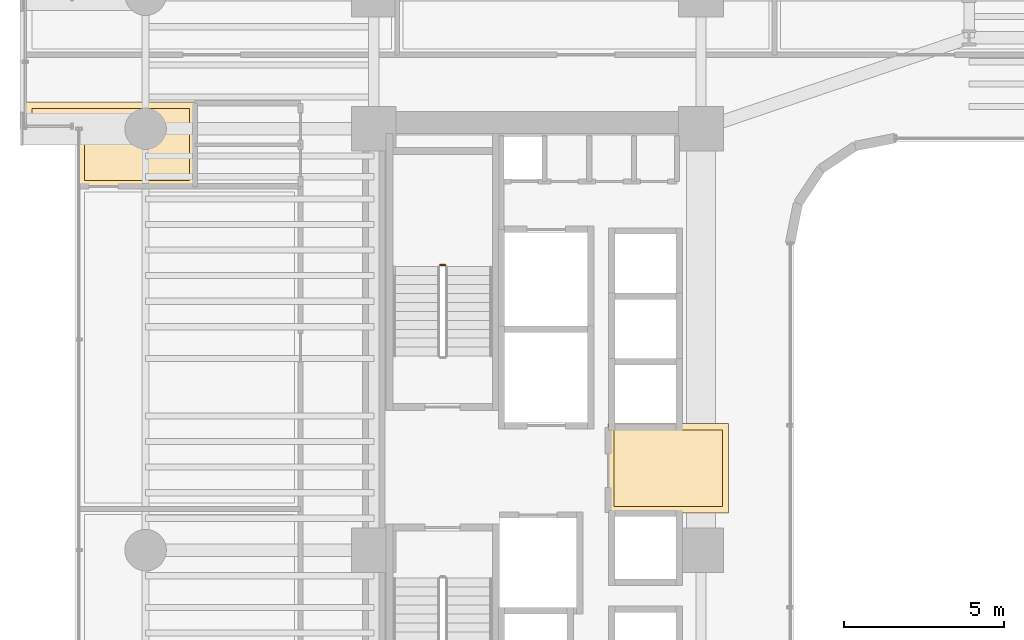
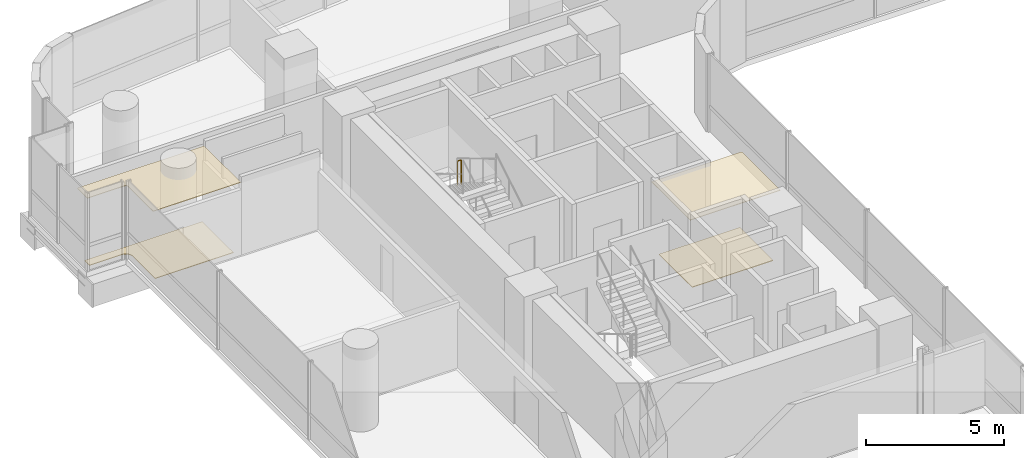
# One storey, part 38 of 40: 4 coverings, 1 railing.
"""IFC4 building model written with IfcOpenShell, lengths in metres."""

from ifc_helpers import new_model, si_unit, direction, frame, origin, origin_2d, place, context, subcontext, project, spatial, polyline, circle, outline, extrude, material, layer, layer_set, type_object, element, save


model = new_model("IFC4")

# Units and contexts
model_context = context("Model", 3, precision=1e-05, world=origin(), true_north=direction((0.0, 1.0)))
body_context = subcontext(model_context, "Body", "Model", "MODEL_VIEW")
ifc_project = project(units=[si_unit("LENGTHUNIT", "METRE"), si_unit("AREAUNIT", "SQUARE_METRE"), si_unit("VOLUMEUNIT", "CUBIC_METRE"), si_unit("PLANEANGLEUNIT", "RADIAN"), si_unit("MASSUNIT", "GRAM", prefix="KILO")], contexts=[model_context])

# Site, building, storey
site_placement = place(None, origin())
site = spatial("IfcSite", under=ifc_project, at=site_placement, CompositionType="ELEMENT")
building_placement = place(site_placement, origin())
building = spatial("IfcBuilding", under=site, at=building_placement, Name="Valdorenza Pilgrim Sanctuary Tower", CompositionType="ELEMENT")
storey_placement = place(building_placement, frame((0.0, 0.0, 48.199951171875)))
storey = spatial("IfcBuildingStorey", under=building, at=storey_placement, Name="L11", CompositionType="ELEMENT", Elevation=48.199951171875)

# Coverings
ifc_material_1 = material(Name="Micro-perforated acoustic mineral ceiling tile", Category="gypsum")
ifc_layer_1 = layer(ifc_material_1, 0.02490234375, Name="Micro-perforated acoustic mineral ceiling tile")
ifc_layer_set_1 = layer_set([ifc_layer_1], Name="Micro-perforated acoustic mineral ceiling tile")
covering_type_1 = type_object("IfcCoveringType", Name="COV-CLG-ACU", PredefinedType="CEILING", material=ifc_layer_set_1)
covering_1_placement = place(storey_placement, frame((0.0, 0.0, 3.16015625)))
element("IfcCovering", 1, at=covering_1_placement, inside=storey, type_object=covering_type_1, Name="L11 Core A Passenger Lift Lobby Acoustic Ceiling", PredefinedType="CEILING", context=body_context, shape_type="SweptSolid", body=[
    extrude(outline(polyline([(-15.31298828125, 1.244384765625), (-15.31298828125, 1.24462890625), (-15.313720703125, 1.24609375), (-15.314208984375, 1.24755859375), (-15.314697265625, 1.2490234375), (-15.31494140625, 1.25048828125), (-15.31494140625, 1.251953125), (-15.31494140625, 1.35009765625), (-15.31494140625, 1.3515625), (-15.314697265625, 1.352783203125), (-15.314453125, 1.3544921875), (-15.31396484375, 1.355712890625), (-15.313232421875, 1.357177734375), (-15.3125, 1.3583984375), (-15.3115234375, 1.359619140625), (-15.310546875, 1.360595703125), (-15.3095703125, 1.361572265625), (-15.308349609375, 1.362548828125), (-15.30712890625, 1.36328125), (-15.3056640625, 1.364013671875), (-15.304443359375, 1.364501953125), (-15.302978515625, 1.36474609375), (-15.301513671875, 1.364990234375), (-15.300048828125, 1.364990234375), (-15.10205078125, 1.364990234375), (-15.1005859375, 1.364990234375), (-15.09912109375, 1.36474609375), (-15.097412109375, 1.3642578125), (-15.09619140625, 1.36376953125), (-15.0947265625, 1.363037109375), (-15.094482421875, 1.363037109375), (-13.185546875, 1.363037109375), (-13.185302734375, 1.363037109375), (-13.183837890625, 1.36376953125), (-13.1826171875, 1.3642578125), (-13.180908203125, 1.36474609375), (-13.179443359375, 1.364990234375), (-13.177978515625, 1.364990234375), (-11.550048828125, 1.364990234375), (-11.548583984375, 1.364990234375), (-11.547119140625, 1.36474609375), (-11.545654296875, 1.364501953125), (-11.544189453125, 1.364013671875), (-11.54296875, 1.36328125), (-11.541748046875, 1.362548828125), (-11.54052734375, 1.361572265625), (-11.539306640625, 1.360595703125), (-11.538330078125, 1.359619140625), (-11.53759765625, 1.3583984375), (-11.536865234375, 1.357177734375), (-11.5361328125, 1.355712890625), (-11.53564453125, 1.3544921875), (-11.535400390625, 1.352783203125), (-11.53515625, 1.3515625), (-11.534912109375, 1.35009765625), (-11.534912109375, -1.419921875), (-11.53515625, -1.42138671875), (-11.535400390625, -1.4228515625), (-11.53564453125, -1.42431640625), (-11.5361328125, -1.42578125), (-11.536865234375, -1.427001953125), (-11.53759765625, -1.42822265625), (-11.538330078125, -1.429443359375), (-11.539306640625, -1.4306640625), (-11.54052734375, -1.431640625), (-11.541748046875, -1.4326171875), (-11.54296875, -1.43310546875), (-11.544189453125, -1.433837890625), (-11.545654296875, -1.434326171875), (-11.547119140625, -1.434814453125), (-11.548583984375, -1.434814453125), (-11.550048828125, -1.43505859375), (-15.298095703125, -1.43505859375), (-15.299560546875, -1.434814453125), (-15.30078125, -1.434814453125), (-15.302490234375, -1.434326171875), (-15.3037109375, -1.433837890625), (-15.30517578125, -1.43310546875), (-15.306396484375, -1.4326171875), (-15.3076171875, -1.431640625), (-15.30859375, -1.4306640625), (-15.3095703125, -1.429443359375), (-15.310546875, -1.42822265625), (-15.311279296875, -1.427001953125), (-15.31201171875, -1.42578125), (-15.3125, -1.42431640625), (-15.312744140625, -1.4228515625), (-15.31298828125, -1.42138671875), (-15.31298828125, -1.419921875), (-15.31298828125, 1.244384765625)])), origin(), (0.0, 0.0, 1.0), 0.02490234375),
])
covering_2_placement = place(storey_placement, frame((0.0, 0.0, 3.16015625)))
element("IfcCovering", 2, at=covering_2_placement, inside=storey, type_object=covering_type_1, Name="L11 Pilgrim Scholar Office L11-WN Acoustic Ceiling", PredefinedType="CEILING", context=body_context, shape_type="SweptSolid", body=[
    extrude(outline(polyline([(-28.237060546875, 11.39453125), (-28.237060546875, 10.103759765625), (-28.23681640625, 10.10302734375), (-28.23681640625, 10.1015625), (-28.23681640625, 10.10009765625), (-28.23681640625, 10.098388671875), (-28.237060546875, 10.09814453125), (-28.237060546875, 8.800048828125), (-28.237060546875, 8.798583984375), (-28.2373046875, 8.797119140625), (-28.237548828125, 8.795654296875), (-28.238037109375, 8.794189453125), (-28.23876953125, 8.79296875), (-28.239501953125, 8.791748046875), (-28.240478515625, 8.79052734375), (-28.241455078125, 8.789306640625), (-28.242431640625, 8.788330078125), (-28.24365234375, 8.78759765625), (-28.244873046875, 8.786865234375), (-28.246337890625, 8.7861328125), (-28.24755859375, 8.78564453125), (-28.2490234375, 8.785400390625), (-28.25048828125, 8.78515625), (-28.251953125, 8.784912109375), (-31.889892578125, 8.784912109375), (-31.8916015625, 8.78515625), (-31.892822265625, 8.785400390625), (-31.894287109375, 8.78564453125), (-31.895751953125, 8.7861328125), (-31.897216796875, 8.786865234375), (-31.898193359375, 8.78759765625), (-31.8994140625, 8.788330078125), (-31.900634765625, 8.789306640625), (-31.901611328125, 8.79052734375), (-31.902587890625, 8.791748046875), (-31.9033203125, 8.79296875), (-31.90380859375, 8.794189453125), (-31.904296875, 8.795654296875), (-31.90478515625, 8.797119140625), (-31.90478515625, 8.798583984375), (-31.905029296875, 8.800048828125), (-31.905029296875, 10.599609375), (-31.905517578125, 10.609375), (-31.90673828125, 10.618408203125), (-31.9091796875, 10.627685546875), (-31.912109375, 10.63623046875), (-31.916259765625, 10.644775390625), (-31.9208984375, 10.65283203125), (-31.926513671875, 10.660400390625), (-31.932861328125, 10.667236328125), (-31.939697265625, 10.67333984375), (-31.947265625, 10.678955078125), (-31.955078125, 10.683837890625), (-31.963623046875, 10.687744140625), (-31.972412109375, 10.69091796875), (-31.9814453125, 10.693115234375), (-31.99072265625, 10.694580078125), (-32.00048828125, 10.695068359375), (-33.5400390625, 10.695068359375), (-33.54150390625, 10.695068359375), (-33.54296875, 10.6953125), (-33.54443359375, 10.695556640625), (-33.545654296875, 10.696044921875), (-33.547119140625, 10.69677734375), (-33.54833984375, 10.697509765625), (-33.549560546875, 10.698486328125), (-33.550537109375, 10.699462890625), (-33.551513671875, 10.700439453125), (-33.552490234375, 10.70166015625), (-33.55322265625, 10.702880859375), (-33.553955078125, 10.704345703125), (-33.554443359375, 10.70556640625), (-33.5546875, 10.70703125), (-33.554931640625, 10.70849609375), (-33.554931640625, 10.7099609375), (-33.554931640625, 11.419921875), (-33.554931640625, 11.42138671875), (-33.5546875, 11.4228515625), (-33.554443359375, 11.42431640625), (-33.553955078125, 11.42578125), (-33.55322265625, 11.427001953125), (-33.552490234375, 11.42822265625), (-33.551513671875, 11.429443359375), (-33.550537109375, 11.4306640625), (-33.549560546875, 11.431640625), (-33.54833984375, 11.4326171875), (-33.547119140625, 11.43310546875), (-33.545654296875, 11.433837890625), (-33.54443359375, 11.434326171875), (-33.54296875, 11.434814453125), (-33.54150390625, 11.434814453125), (-33.5400390625, 11.43505859375), (-28.25, 11.43505859375), (-28.24853515625, 11.434814453125), (-28.2470703125, 11.434814453125), (-28.24560546875, 11.434326171875), (-28.244384765625, 11.433837890625), (-28.242919921875, 11.43310546875), (-28.24169921875, 11.4326171875), (-28.240478515625, 11.431640625), (-28.239501953125, 11.4306640625), (-28.23828125, 11.429443359375), (-28.237548828125, 11.42822265625), (-28.23681640625, 11.427001953125), (-28.236083984375, 11.42578125), (-28.235595703125, 11.42431640625), (-28.2353515625, 11.4228515625), (-28.235107421875, 11.42138671875), (-28.235107421875, 11.419921875), (-28.235107421875, 11.402099609375), (-28.235107421875, 11.400390625), (-28.2353515625, 11.39892578125), (-28.235595703125, 11.3974609375), (-28.236083984375, 11.39599609375), (-28.23681640625, 11.394775390625), (-28.237060546875, 11.39453125)])), origin(), (0.0, 0.0, 1.0), 0.02490234375),
])
ifc_material_2 = material(Name="Honed travertine stone flooring", Category="masonry")
ifc_layer_2 = layer(ifc_material_2, 0.030029296875, Name="Honed travertine stone flooring")
ifc_layer_set_2 = layer_set([ifc_layer_2], Name="Honed travertine stone flooring")
covering_type_2 = type_object("IfcCoveringType", Name="COV-FLR-TRV", PredefinedType="FLOORING", material=ifc_layer_set_2)
covering_3_placement = place(storey_placement, origin())
element("IfcCovering", 3, at=covering_3_placement, inside=storey, type_object=covering_type_2, Name="L11 Core A Passenger Lift Lobby Flooring", PredefinedType="FLOORING", context=body_context, shape_type="SweptSolid", body=[
    extrude(outline(polyline([(-15.117919921875, 1.169189453125), (-15.10888671875, 1.168212890625), (-15.10888671875, 1.168212890625), (-15.10009765625, 1.16796875), (-13.179931640625, 1.16796875), (-13.1796875, 1.16796875), (-11.72998046875, 1.169921875), (-11.72998046875, -1.239990234375), (-15.117919921875, -1.239990234375), (-15.117919921875, 1.169189453125)])), origin(), (0.0, 0.0, 1.0), 0.025146484375),
])
covering_4_placement = place(storey_placement, origin())
element("IfcCovering", 4, at=covering_4_placement, inside=storey, type_object=covering_type_2, Name="L11 Pilgrim Scholar Office L11-WN Flooring", PredefinedType="FLOORING", context=body_context, shape_type="SweptSolid", body=[
    extrude(outline(polyline([(-28.431884765625, 11.239990234375), (-28.431884765625, 10.10205078125), (-28.431884765625, 10.10107421875), (-28.431884765625, 10.100341796875), (-28.431884765625, 10.10009765625), (-28.431884765625, 8.97998046875), (-31.7099609375, 8.97998046875), (-31.7099609375, 10.60009765625), (-31.710205078125, 10.60888671875), (-31.710693359375, 10.61962890625), (-31.71240234375, 10.63720703125), (-31.714111328125, 10.64794921875), (-31.717529296875, 10.665283203125), (-31.72021484375, 10.67578125), (-31.725341796875, 10.692626953125), (-31.72900390625, 10.70263671875), (-31.735595703125, 10.718994140625), (-31.740234375, 10.728759765625), (-31.74853515625, 10.744384765625), (-31.754150390625, 10.753662109375), (-31.763916015625, 10.768310546875), (-31.7705078125, 10.777099609375), (-31.781494140625, 10.790771484375), (-31.788818359375, 10.798583984375), (-31.80126953125, 10.811279296875), (-31.809326171875, 10.818359375), (-31.822998046875, 10.82958984375), (-31.831787109375, 10.8359375), (-31.84619140625, 10.845947265625), (-31.855712890625, 10.851318359375), (-31.87109375, 10.859619140625), (-31.880859375, 10.8642578125), (-31.897216796875, 10.87109375), (-31.907470703125, 10.874755859375), (-31.92431640625, 10.8798828125), (-31.934814453125, 10.882568359375), (-31.9521484375, 10.885986328125), (-31.962890625, 10.887451171875), (-31.98046875, 10.889404296875), (-31.9912109375, 10.889892578125), (-32.0, 10.889892578125), (-33.360107421875, 10.889892578125), (-33.360107421875, 11.239990234375), (-28.431884765625, 11.239990234375)])), origin(), (0.0, 0.0, 1.0), 0.025146484375),
])

# Railing
ifc_material_3 = material(Name="Stainless steel Grade 316", Category="steel")
railing_type = type_object("IfcRailingType", Name="RLG-GRD-1120", PredefinedType="GUARDRAIL", material=ifc_material_3)
railing_placement = place(storey_placement, frame((-20.419921875, 6.330078125, 1.85009765625)))
element("IfcRailing", 5, at=railing_placement, inside=storey, type_object=railing_type, Name="L11 ST-A1 stair guard 2", PredefinedType="GUARDRAIL", context=body_context, shape_type="SweptSolid", body=[
    extrude(circle(Radius=0.02392578125, at=origin_2d()), frame((0.0, 0.0, 1.076171875), z_axis=(-1.0, 0.0, 0.0), x_axis=(0.0, -1.0, 0.0)), (0.0, 0.0, 1.0), 0.150146484375),
    extrude(circle(Radius=0.02099609375, at=origin_2d()), origin(), (0.0, 0.0, 1.0), 1.052001953125),
    extrude(circle(Radius=0.02099609375, at=origin_2d()), frame((-0.150146484375, 0.0, 0.0)), (0.0, 0.0, 1.0), 1.052001953125),
])

save(model, "model.ifc")
